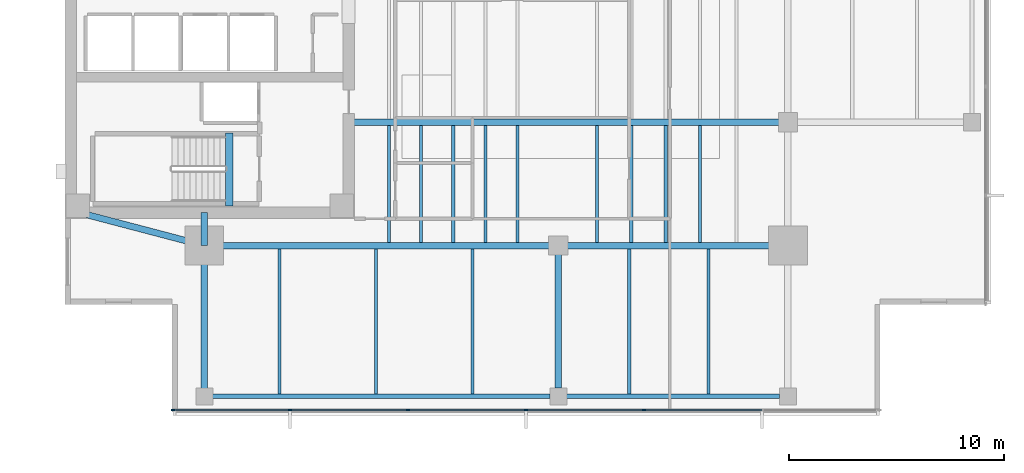
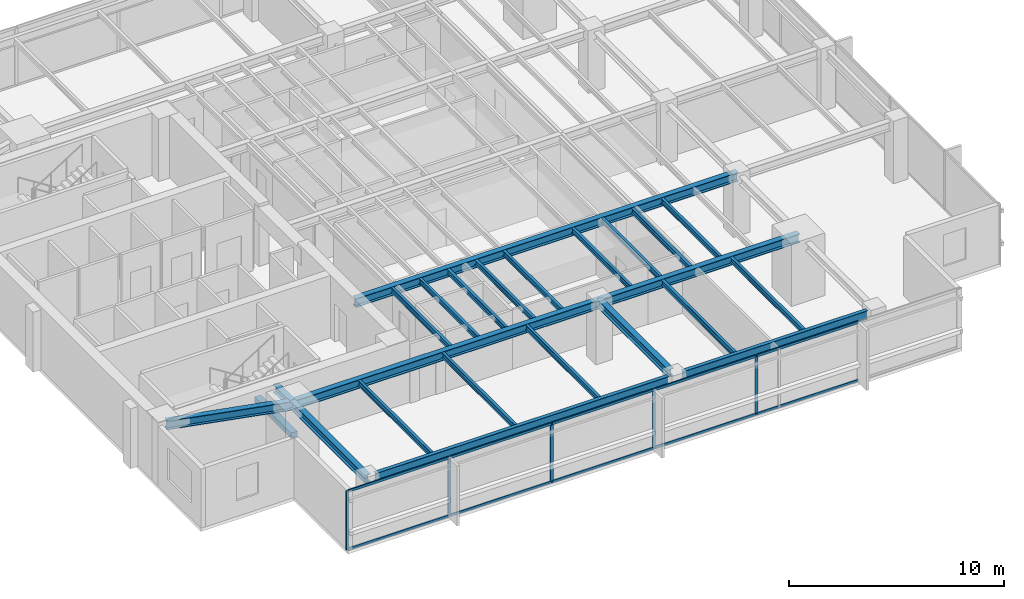
# One storey, part 2 of 14: 24 beams, 15 members, 1 element without a shape of its own.
"""IFC4 building model written with IfcOpenShell, lengths in metres."""

from ifc_helpers import new_model, si_unit, direction, frame, origin, origin_2d, place, context, subcontext, project, spatial, rectangle, i_section, extrude, material, layer, layer_set, material_profile, profile_set, type_object, element, aggregate, save


model = new_model("IFC4")

# Units and contexts
model_context = context("Model", 3, precision=1e-05, world=origin(), true_north=direction((0.0, 1.0)))
body_context = subcontext(model_context, "Body", "Model", "MODEL_VIEW")
ifc_project = project(units=[si_unit("LENGTHUNIT", "METRE"), si_unit("AREAUNIT", "SQUARE_METRE"), si_unit("VOLUMEUNIT", "CUBIC_METRE"), si_unit("PLANEANGLEUNIT", "RADIAN"), si_unit("MASSUNIT", "GRAM", prefix="KILO")], contexts=[model_context])

# Site, building, storey
site_placement = place(None, origin())
site = spatial("IfcSite", under=ifc_project, at=site_placement, CompositionType="ELEMENT")
building_placement = place(site_placement, origin())
building = spatial("IfcBuilding", under=site, at=building_placement, Name="Kinhvarn Gate Tower", CompositionType="ELEMENT")
storey_placement = place(building_placement, frame((0.0, 0.0, 188.050048828125)))
storey = spatial("IfcBuildingStorey", under=building, at=storey_placement, Name="L49", CompositionType="ELEMENT", Elevation=188.050048828125)

# Beam
ifc_material_1 = material(Name="Concrete C50/60", Category="concrete")
ifc_material_profile_1 = material_profile(ifc_material_1, rectangle(XDim=0.340087890625, YDim=0.320068359375, at=origin_2d()), Name="RC 340x320")
ifc_profile_set_1 = profile_set([ifc_material_profile_1], Name="Concrete C50/60")
beam_type_1 = type_object("IfcBeamType", Name="BM-LND-500", PredefinedType="BEAM", material=ifc_profile_set_1)
beam_1_placement = place(storey_placement, frame((12.1650390625, 14.60009765625, -0.16015625), z_axis=(0.0, 1.0, 0.0), x_axis=(-1.0, 0.0, 0.0)))
element("IfcBeam", 1, at=beam_1_placement, inside=storey, type_object=beam_type_1, Name="Stair ST1 Landing Nosing Beam (L49)", PredefinedType="BEAM", context=body_context, shape_type="SweptSolid", body=[
    extrude(rectangle(XDim=0.340087890625, YDim=0.320068359375, at=origin_2d()), origin(), (0.0, 0.0, 1.0), 3.39990234375),
])

# Curtain wall, members
ifc_material_2 = material(Name="Anodised aluminium AW-6063", Category="aluminium")
ifc_layer = layer(ifc_material_2, 0.179931640625)
ifc_layer_set = layer_set([ifc_layer], Name="Anodised aluminium AW-6063")
curtain_wall_type = type_object("IfcCurtainWallType", Name="CW-SYS-3", PredefinedType="NOTDEFINED", material=ifc_layer_set)
curtain_wall_placement = place(storey_placement, origin())
curtain_wall = element("IfcCurtainWall", 2, at=curtain_wall_placement, inside=storey, type_object=curtain_wall_type, Name="Curtain Wall CW3 (L49)", PredefinedType="NOTDEFINED")
ifc_material_profile_2 = material_profile(ifc_material_2, rectangle(XDim=0.06494140625, YDim=0.159912109375, at=origin_2d()), Name="ALU 65x160")
ifc_profile_set_2 = profile_set([ifc_material_profile_2], Name="Anodised aluminium AW-6063")
member_type_1 = type_object("IfcMemberType", Name="CW-MUL-160", PredefinedType="MULLION", material=ifc_profile_set_2)
member_1_placement = place(storey_placement, frame((9.532470703125, 5.090087890625, 0.0), z_axis=(0.0, 0.0, 1.0), x_axis=(0.0, 1.0, 0.0)))
member_1 = element("IfcMember", 3, at=member_1_placement, type_object=member_type_1, Name="CW3 mullion 1", PredefinedType="MULLION", context=body_context, shape_type="SweptSolid", body=[
    extrude(rectangle(XDim=0.06494140625, YDim=0.159912109375, at=origin_2d()), origin(), (0.0, 0.0, 1.0), 3.369873046875),
])
member_2_placement = place(storey_placement, frame((15.0, 5.090087890625, 0.0), z_axis=(0.0, 0.0, 1.0), x_axis=(0.0, 1.0, 0.0)))
member_2 = element("IfcMember", 4, at=member_2_placement, type_object=member_type_1, Name="CW3 mullion 2", PredefinedType="MULLION", context=body_context, shape_type="SweptSolid", body=[
    extrude(rectangle(XDim=0.06494140625, YDim=0.159912109375, at=origin_2d()), origin(), (0.0, 0.0, 1.0), 3.369873046875),
])
member_3_placement = place(storey_placement, frame((20.5, 5.090087890625, 0.0), z_axis=(0.0, 0.0, 1.0), x_axis=(0.0, 1.0, 0.0)))
member_3 = element("IfcMember", 5, at=member_3_placement, type_object=member_type_1, Name="CW3 mullion 3", PredefinedType="MULLION", context=body_context, shape_type="SweptSolid", body=[
    extrude(rectangle(XDim=0.06494140625, YDim=0.159912109375, at=origin_2d()), origin(), (0.0, 0.0, 1.0), 3.369873046875),
])
member_4_placement = place(storey_placement, frame((26.0, 5.090087890625, 0.0), z_axis=(0.0, 0.0, 1.0), x_axis=(0.0, 1.0, 0.0)))
member_4 = element("IfcMember", 6, at=member_4_placement, type_object=member_type_1, Name="CW3 mullion 4", PredefinedType="MULLION", context=body_context, shape_type="SweptSolid", body=[
    extrude(rectangle(XDim=0.06494140625, YDim=0.159912109375, at=origin_2d()), origin(), (0.0, 0.0, 1.0), 3.369873046875),
])
member_5_placement = place(storey_placement, frame((31.5, 5.090087890625, 0.0), z_axis=(0.0, 0.0, 1.0), x_axis=(0.0, 1.0, 0.0)))
member_5 = element("IfcMember", 7, at=member_5_placement, type_object=member_type_1, Name="CW3 mullion 5", PredefinedType="MULLION", context=body_context, shape_type="SweptSolid", body=[
    extrude(rectangle(XDim=0.06494140625, YDim=0.159912109375, at=origin_2d()), origin(), (0.0, 0.0, 1.0), 3.369873046875),
])
ifc_material_profile_3 = material_profile(ifc_material_2, rectangle(XDim=0.070068359375, YDim=0.139892578125, at=origin_2d()), Name="ALU 70x140")
ifc_profile_set_3 = profile_set([ifc_material_profile_3], Name="Anodised aluminium AW-6063")
member_type_2 = type_object("IfcMemberType", Name="CW-TRN-140", PredefinedType="USERDEFINED", material=ifc_profile_set_3)
member_6_placement = place(storey_placement, frame((9.56494140625, 5.090087890625, 0.034912109375), z_axis=(1.0, 0.0, 0.0), x_axis=(0.0, 1.0, 0.0)))
member_6 = element("IfcMember", 8, at=member_6_placement, type_object=member_type_2, Name="CW3 transom 1.1", ObjectType="TRANSOM", PredefinedType="USERDEFINED", context=body_context, shape_type="SweptSolid", body=[
    extrude(rectangle(XDim=0.070068359375, YDim=0.139892578125, at=origin_2d()), origin(), (0.0, 0.0, 1.0), 5.402587890625),
])
member_7_placement = place(storey_placement, frame((9.56494140625, 5.090087890625, 3.3349609375), z_axis=(1.0, 0.0, 0.0), x_axis=(0.0, 1.0, 0.0)))
member_7 = element("IfcMember", 9, at=member_7_placement, type_object=member_type_2, Name="CW3 transom 1.2", ObjectType="TRANSOM", PredefinedType="USERDEFINED", context=body_context, shape_type="SweptSolid", body=[
    extrude(rectangle(XDim=0.070068359375, YDim=0.139892578125, at=origin_2d()), origin(), (0.0, 0.0, 1.0), 5.402587890625),
])
member_8_placement = place(storey_placement, frame((15.032470703125, 5.090087890625, 0.034912109375), z_axis=(1.0, 0.0, 0.0), x_axis=(0.0, 1.0, 0.0)))
member_8 = element("IfcMember", 10, at=member_8_placement, type_object=member_type_2, Name="CW3 transom 2.1", ObjectType="TRANSOM", PredefinedType="USERDEFINED", context=body_context, shape_type="SweptSolid", body=[
    extrude(rectangle(XDim=0.070068359375, YDim=0.139892578125, at=origin_2d()), origin(), (0.0, 0.0, 1.0), 5.43505859375),
])
member_9_placement = place(storey_placement, frame((15.032470703125, 5.090087890625, 3.3349609375), z_axis=(1.0, 0.0, 0.0), x_axis=(0.0, 1.0, 0.0)))
member_9 = element("IfcMember", 11, at=member_9_placement, type_object=member_type_2, Name="CW3 transom 2.2", ObjectType="TRANSOM", PredefinedType="USERDEFINED", context=body_context, shape_type="SweptSolid", body=[
    extrude(rectangle(XDim=0.070068359375, YDim=0.139892578125, at=origin_2d()), origin(), (0.0, 0.0, 1.0), 5.43505859375),
])
member_10_placement = place(storey_placement, frame((20.532470703125, 5.090087890625, 0.034912109375), z_axis=(1.0, 0.0, 0.0), x_axis=(0.0, 1.0, 0.0)))
member_10 = element("IfcMember", 12, at=member_10_placement, type_object=member_type_2, Name="CW3 transom 3.1", ObjectType="TRANSOM", PredefinedType="USERDEFINED", context=body_context, shape_type="SweptSolid", body=[
    extrude(rectangle(XDim=0.070068359375, YDim=0.139892578125, at=origin_2d()), origin(), (0.0, 0.0, 1.0), 5.43505859375),
])
member_11_placement = place(storey_placement, frame((20.532470703125, 5.090087890625, 3.3349609375), z_axis=(1.0, 0.0, 0.0), x_axis=(0.0, 1.0, 0.0)))
member_11 = element("IfcMember", 13, at=member_11_placement, type_object=member_type_2, Name="CW3 transom 3.2", ObjectType="TRANSOM", PredefinedType="USERDEFINED", context=body_context, shape_type="SweptSolid", body=[
    extrude(rectangle(XDim=0.070068359375, YDim=0.139892578125, at=origin_2d()), origin(), (0.0, 0.0, 1.0), 5.43505859375),
])
member_12_placement = place(storey_placement, frame((26.032470703125, 5.090087890625, 0.034912109375), z_axis=(1.0, 0.0, 0.0), x_axis=(0.0, 1.0, 0.0)))
member_12 = element("IfcMember", 14, at=member_12_placement, type_object=member_type_2, Name="CW3 transom 4.1", ObjectType="TRANSOM", PredefinedType="USERDEFINED", context=body_context, shape_type="SweptSolid", body=[
    extrude(rectangle(XDim=0.070068359375, YDim=0.139892578125, at=origin_2d()), origin(), (0.0, 0.0, 1.0), 5.43505859375),
])
member_13_placement = place(storey_placement, frame((26.032470703125, 5.090087890625, 3.3349609375), z_axis=(1.0, 0.0, 0.0), x_axis=(0.0, 1.0, 0.0)))
member_13 = element("IfcMember", 15, at=member_13_placement, type_object=member_type_2, Name="CW3 transom 4.2", ObjectType="TRANSOM", PredefinedType="USERDEFINED", context=body_context, shape_type="SweptSolid", body=[
    extrude(rectangle(XDim=0.070068359375, YDim=0.139892578125, at=origin_2d()), origin(), (0.0, 0.0, 1.0), 5.43505859375),
])
member_14_placement = place(storey_placement, frame((31.532470703125, 5.090087890625, 0.034912109375), z_axis=(1.0, 0.0, 0.0), x_axis=(0.0, 1.0, 0.0)))
member_14 = element("IfcMember", 16, at=member_14_placement, type_object=member_type_2, Name="CW3 transom 5.1", ObjectType="TRANSOM", PredefinedType="USERDEFINED", context=body_context, shape_type="SweptSolid", body=[
    extrude(rectangle(XDim=0.070068359375, YDim=0.139892578125, at=origin_2d()), origin(), (0.0, 0.0, 1.0), 5.43505859375),
])
member_15_placement = place(storey_placement, frame((31.532470703125, 5.090087890625, 3.3349609375), z_axis=(1.0, 0.0, 0.0), x_axis=(0.0, 1.0, 0.0)))
member_15 = element("IfcMember", 17, at=member_15_placement, type_object=member_type_2, Name="CW3 transom 5.2", ObjectType="TRANSOM", PredefinedType="USERDEFINED", context=body_context, shape_type="SweptSolid", body=[
    extrude(rectangle(XDim=0.070068359375, YDim=0.139892578125, at=origin_2d()), origin(), (0.0, 0.0, 1.0), 5.43505859375),
])
aggregate(curtain_wall, [member_1, member_2, member_3, member_4, member_5, member_6, member_7, member_8, member_9, member_10, member_11, member_12, member_13, member_14, member_15])

# Beams
ifc_material_3 = material(Name="Steel S355", Category="steel")
ifc_material_profile_4 = material_profile(ifc_material_3, i_section(OverallWidth=0.300048828125, OverallDepth=0.449951171875, WebThickness=0.013916015625, FlangeThickness=0.02587890625, at=origin_2d()), Name="HEB 450")
ifc_profile_set_4 = profile_set([ifc_material_profile_4], Name="Steel S355")
beam_type_2 = type_object("IfcBeamType", Name="STL-HEB450", PredefinedType="BEAM", material=ifc_profile_set_4)
beam_2_placement = place(storey_placement, frame((11.0, 5.719970703125, 3.14501953125), z_axis=(0.0, 1.0, 0.0), x_axis=(-1.0, 0.0, 0.0)))
element("IfcBeam", 18, at=beam_2_placement, inside=storey, type_object=beam_type_2, Name="Floor Beam PG-13 (L49 MCW-S)", PredefinedType="BEAM", context=body_context, shape_type="SweptSolid", body=[
    extrude(i_section(OverallWidth=0.300048828125, OverallDepth=0.449951171875, WebThickness=0.013916015625, FlangeThickness=0.02587890625, at=origin_2d()), origin(), (0.0, 0.0, 1.0), 7.030029296875),
])
beam_3_placement = place(storey_placement, frame((11.0, 12.75, 3.14501953125), z_axis=(0.0, 1.0, 0.0), x_axis=(-1.0, 0.0, 0.0)))
element("IfcBeam", 19, at=beam_3_placement, inside=storey, type_object=beam_type_2, Name="Floor Beam PG-13 (L49 MCW-CS)", PredefinedType="BEAM", context=body_context, shape_type="SweptSolid", body=[
    extrude(i_section(OverallWidth=0.300048828125, OverallDepth=0.449951171875, WebThickness=0.013916015625, FlangeThickness=0.02587890625, at=origin_2d()), origin(), (0.0, 0.0, 1.0), 1.550048828125),
])
beam_4_placement = place(storey_placement, frame((27.5, 6.10498046875, 3.14501953125), z_axis=(0.0, 1.0, 0.0), x_axis=(-1.0, 0.0, 0.0)))
element("IfcBeam", 20, at=beam_4_placement, inside=storey, type_object=beam_type_2, Name="Floor Beam PG-13 (L49 SP27-S-TIE)", PredefinedType="BEAM", context=body_context, shape_type="SweptSolid", body=[
    extrude(i_section(OverallWidth=0.300048828125, OverallDepth=0.449951171875, WebThickness=0.013916015625, FlangeThickness=0.02587890625, at=origin_2d()), origin(), (0.0, 0.0, 1.0), 6.64501953125),
])
ifc_material_profile_5 = material_profile(ifc_material_3, i_section(OverallWidth=0.300048828125, OverallDepth=0.5, WebThickness=0.014404296875, FlangeThickness=0.028076171875, at=origin_2d()), Name="HEB 500")
ifc_profile_set_5 = profile_set([ifc_material_profile_5], Name="Steel S355")
beam_type_3 = type_object("IfcBeamType", Name="STL-HEB500", PredefinedType="BEAM", material=ifc_profile_set_5)
beam_5_placement = place(storey_placement, frame((11.0, 12.75, 3.119873046875), z_axis=(1.0, 0.0, 0.0), x_axis=(0.0, 1.0, 0.0)))
element("IfcBeam", 21, at=beam_5_placement, inside=storey, type_object=beam_type_3, Name="Floor Beam PG-14 (L49 MG-S1)", PredefinedType="BEAM", context=body_context, shape_type="SweptSolid", body=[
    extrude(i_section(OverallWidth=0.300048828125, OverallDepth=0.5, WebThickness=0.014404296875, FlangeThickness=0.028076171875, at=origin_2d()), origin(), (0.0, 0.0, 1.0), 16.5),
])
beam_6_placement = place(storey_placement, frame((27.5, 12.75, 3.119873046875), z_axis=(1.0, 0.0, 0.0), x_axis=(0.0, 1.0, 0.0)))
element("IfcBeam", 22, at=beam_6_placement, inside=storey, type_object=beam_type_3, Name="Floor Beam PG-14 (L49 MG-S2)", PredefinedType="BEAM", context=body_context, shape_type="SweptSolid", body=[
    extrude(i_section(OverallWidth=0.300048828125, OverallDepth=0.5, WebThickness=0.014404296875, FlangeThickness=0.028076171875, at=origin_2d()), origin(), (0.0, 0.0, 1.0), 10.699951171875),
])
beam_7_placement = place(storey_placement, frame((5.10009765625, 14.300048828125, 3.119873046875), z_axis=(0.967177623957, -0.254101246979, 0.0), x_axis=(0.254101246979, 0.967177623957, 0.0)))
element("IfcBeam", 23, at=beam_7_placement, inside=storey, type_object=beam_type_3, Name="Floor Beam PG-14 (L49 MG-SW-DIAG)", PredefinedType="BEAM", context=body_context, shape_type="SweptSolid", body=[
    extrude(i_section(OverallWidth=0.300048828125, OverallDepth=0.5, WebThickness=0.014404296875, FlangeThickness=0.028076171875, at=origin_2d()), origin(), (0.0, 0.0, 1.0), 6.10009765625),
])
beam_8_placement = place(storey_placement, frame((17.64990234375, 18.5, 3.119873046875), z_axis=(1.0, 0.0, 0.0), x_axis=(0.0, 1.0, 0.0)))
element("IfcBeam", 24, at=beam_8_placement, inside=storey, type_object=beam_type_3, Name="Floor Beam PG-14 (L49 EW1-Y18)", PredefinedType="BEAM", context=body_context, shape_type="SweptSolid", body=[
    extrude(i_section(OverallWidth=0.300048828125, OverallDepth=0.5, WebThickness=0.014404296875, FlangeThickness=0.028076171875, at=origin_2d()), origin(), (0.0, 0.0, 1.0), 20.550048828125),
])
ifc_material_profile_6 = material_profile(ifc_material_3, i_section(OverallWidth=0.14990234375, OverallDepth=0.300048828125, WebThickness=0.007080078125, FlangeThickness=0.0107421875, at=origin_2d()), Name="IPE 300")
ifc_profile_set_6 = profile_set([ifc_material_profile_6], Name="Steel S355")
beam_type_4 = type_object("IfcBeamType", Name="STL-IPE300", PredefinedType="JOIST", material=ifc_profile_set_6)
for number, where, z_axis, x_axis, name in (
    (25, (19.60009765625, 12.89990234375, 3.219970703125), (0.0, 1.0, 0.0), (-1.0, 0.0, 0.0), "Floor Joist SB-02 (L49 JC-X196-0)"),
    (26, (21.10009765625, 12.89990234375, 3.219970703125), (0.0, 1.0, 0.0), (-1.0, 0.0, 0.0), "Floor Joist SB-02 (L49 JC-X211-0)"),
    (27, (22.60009765625, 12.89990234375, 3.219970703125), (0.0, 1.0, 0.0), (-1.0, 0.0, 0.0), "Floor Joist SB-02 (L49 JC-X226-0)"),
    (28, (24.10009765625, 12.89990234375, 3.219970703125), (0.0, 1.0, 0.0), (-1.0, 0.0, 0.0), "Floor Joist SB-02 (L49 JC-X241-0)"),
    (29, (25.60009765625, 12.89990234375, 3.219970703125), (0.0, 1.0, 0.0), (-1.0, 0.0, 0.0), "Floor Joist SB-02 (L49 JC-X256-0)"),
    (30, (29.300048828125, 12.89990234375, 3.219970703125), (0.0, 1.0, 0.0), (-1.0, 0.0, 0.0), "Floor Joist SB-02 (L49 JC-X293-0)"),
    (31, (30.89990234375, 12.89990234375, 3.219970703125), (0.0, 1.0, 0.0), (-1.0, 0.0, 0.0), "Floor Joist SB-02 (L49 JC-X309-0)"),
    (32, (32.5, 12.89990234375, 3.219970703125), (0.0, 1.0, 0.0), (-1.0, 0.0, 0.0), "Floor Joist SB-02 (L49 JC-X325-0)"),
    (33, (34.10009765625, 12.89990234375, 3.219970703125), (0.0, 1.0, 0.0), (-1.0, 0.0, 0.0), "Floor Joist SB-02 (L49 JC-X341-0)"),
):
    element("IfcBeam", number, at=place(storey_placement, frame(where, z_axis=z_axis, x_axis=x_axis)), inside=storey, type_object=beam_type_4, Name=name, PredefinedType="JOIST", context=body_context, shape_type="SweptSolid", body=[
        extrude(i_section(OverallWidth=0.14990234375, OverallDepth=0.300048828125, WebThickness=0.007080078125, FlangeThickness=0.0107421875, at=origin_2d()), origin(), (0.0, 0.0, 1.0), 5.4501953125),
    ])
for number, where, z_axis, x_axis, name in (
    (34, (14.5, 5.820068359375, 3.219970703125), (0.0, 1.0, 0.0), (-1.0, 0.0, 0.0), "Floor Joist SB-02 (L49 JS-X145)"),
    (35, (19.0, 5.820068359375, 3.219970703125), (0.0, 1.0, 0.0), (-1.0, 0.0, 0.0), "Floor Joist SB-02 (L49 JS-X190)"),
    (36, (23.5, 5.820068359375, 3.219970703125), (0.0, 1.0, 0.0), (-1.0, 0.0, 0.0), "Floor Joist SB-02 (L49 JS-X235)"),
    (37, (30.800048828125, 5.820068359375, 3.219970703125), (0.0, 1.0, 0.0), (-1.0, 0.0, 0.0), "Floor Joist SB-02 (L49 JS-X308)"),
    (38, (34.5, 5.820068359375, 3.219970703125), (0.0, 1.0, 0.0), (-1.0, 0.0, 0.0), "Floor Joist SB-02 (L49 JS-X345)"),
):
    element("IfcBeam", number, at=place(storey_placement, frame(where, z_axis=z_axis, x_axis=x_axis)), inside=storey, type_object=beam_type_4, Name=name, PredefinedType="JOIST", context=body_context, shape_type="SweptSolid", body=[
        extrude(i_section(OverallWidth=0.14990234375, OverallDepth=0.300048828125, WebThickness=0.007080078125, FlangeThickness=0.0107421875, at=origin_2d()), origin(), (0.0, 0.0, 1.0), 6.780029296875),
    ])
ifc_material_profile_7 = material_profile(ifc_material_3, i_section(OverallWidth=0.199951171875, OverallDepth=0.5, WebThickness=0.01025390625, FlangeThickness=0.01611328125, at=origin_2d()), Name="IPE 500")
ifc_profile_set_7 = profile_set([ifc_material_profile_7], Name="Steel S355")
beam_type_5 = type_object("IfcBeamType", Name="STL-IPE500", PredefinedType="SPANDREL", material=ifc_profile_set_7)
beam_9_placement = place(storey_placement, frame((11.385009765625, 5.719970703125, 3.119873046875), z_axis=(1.0, 0.0, 0.0), x_axis=(0.0, 1.0, 0.0)))
element("IfcBeam", 39, at=beam_9_placement, inside=storey, type_object=beam_type_5, Name="Floor Spandrel SB-07 (L49 SP-S1)", PredefinedType="SPANDREL", context=body_context, shape_type="SweptSolid", body=[
    extrude(i_section(OverallWidth=0.199951171875, OverallDepth=0.5, WebThickness=0.01025390625, FlangeThickness=0.01611328125, at=origin_2d()), origin(), (0.0, 0.0, 1.0), 15.72998046875),
])
beam_10_placement = place(storey_placement, frame((27.885009765625, 5.719970703125, 3.119873046875), z_axis=(1.0, 0.0, 0.0), x_axis=(0.0, 1.0, 0.0)))
element("IfcBeam", 40, at=beam_10_placement, inside=storey, type_object=beam_type_5, Name="Floor Spandrel SB-07 (L49 SP-S2)", PredefinedType="SPANDREL", context=body_context, shape_type="SweptSolid", body=[
    extrude(i_section(OverallWidth=0.199951171875, OverallDepth=0.5, WebThickness=0.01025390625, FlangeThickness=0.01611328125, at=origin_2d()), origin(), (0.0, 0.0, 1.0), 9.929931640625),
])

save(model, "model.ifc")
